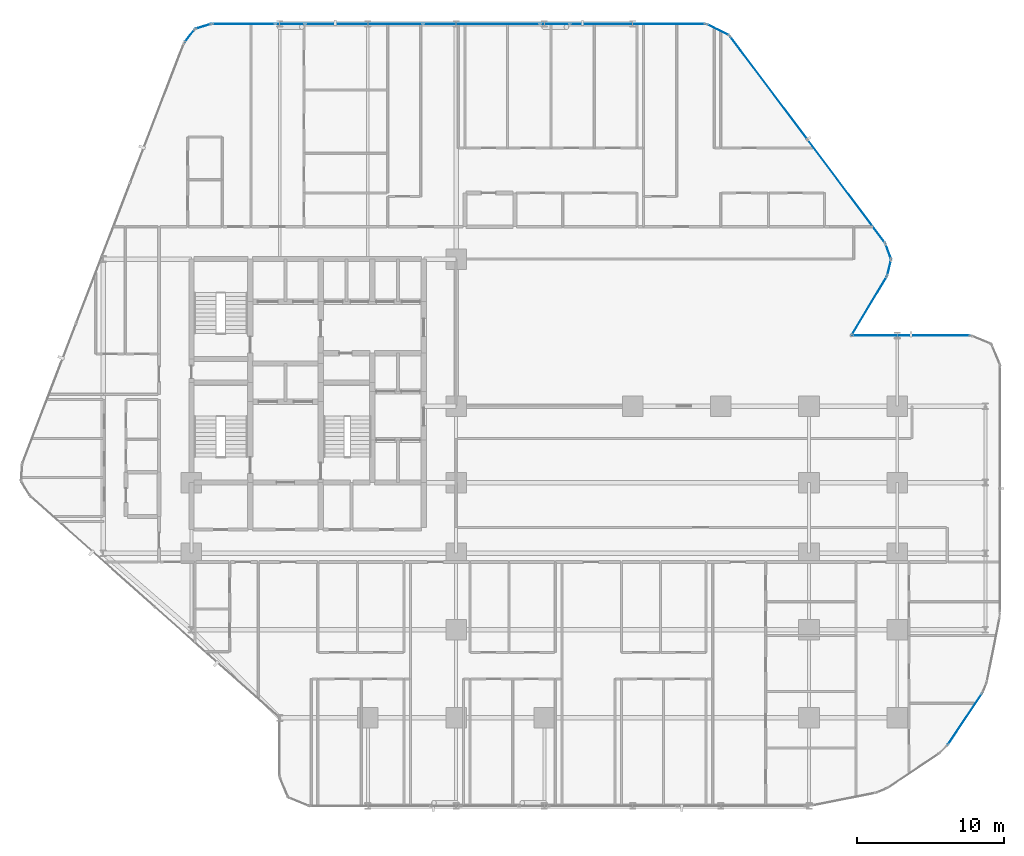
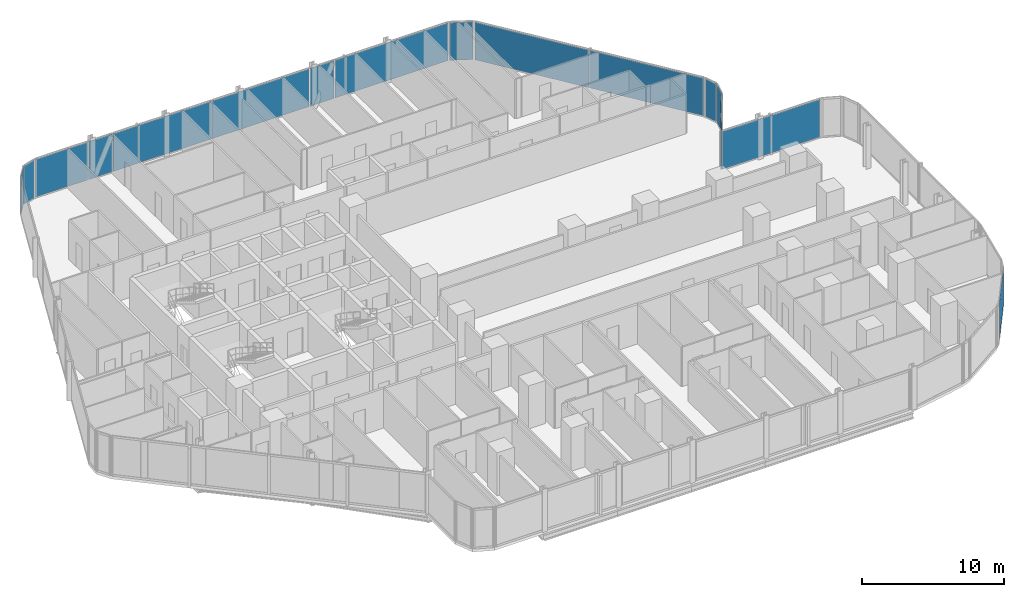
# One storey, part 24 of 34: 16 plates, 14 elements without a shape of their own.
"""IFC4 building model written with IfcOpenShell, lengths in metres."""

from ifc_helpers import new_model, si_unit, direction, frame, origin, origin_2d, place, context, subcontext, project, spatial, rectangle, extrude, material, layer, layer_set, type_object, element, aggregate, save


model = new_model("IFC4")

# Units and contexts
model_context = context("Model", 3, precision=1e-05, world=origin(), true_north=direction((0.0, 1.0)))
body_context = subcontext(model_context, "Body", "Model", "MODEL_VIEW")
ifc_project = project(units=[si_unit("LENGTHUNIT", "METRE"), si_unit("AREAUNIT", "SQUARE_METRE"), si_unit("VOLUMEUNIT", "CUBIC_METRE"), si_unit("PLANEANGLEUNIT", "RADIAN"), si_unit("MASSUNIT", "GRAM", prefix="KILO")], contexts=[model_context])

# Site, building, storey
site_placement = place(None, origin())
site = spatial("IfcSite", under=ifc_project, at=site_placement, CompositionType="ELEMENT")
building_placement = place(site_placement, origin())
building = spatial("IfcBuilding", under=site, at=building_placement, Name="Keshet Zoharim Tower", CompositionType="ELEMENT")
storey_placement = place(building_placement, frame((0.0, 0.0, 31.39990234375)))
storey = spatial("IfcBuildingStorey", under=building, at=storey_placement, Name="L06", CompositionType="ELEMENT", Elevation=31.39990234375)

# Curtain wall, plate
ifc_material_1 = material(Name="Aluminium 6063-T6", Category="aluminium")
ifc_layer_1 = layer(ifc_material_1, 0.179931640625)
ifc_layer_set_1 = layer_set([ifc_layer_1], Name="Aluminium 6063-T6")
curtain_wall_type_1 = type_object("IfcCurtainWallType", Name="CW-SYS-01", PredefinedType="NOTDEFINED", material=ifc_layer_set_1)
curtain_wall_1_placement = place(storey_placement, origin())
curtain_wall_1 = element("IfcCurtainWall", 1, at=curtain_wall_1_placement, inside=storey, type_object=curtain_wall_type_1, Name="L06 Unitised Curtain Wall 05", PredefinedType="NOTDEFINED")
ifc_material_2 = material(Name="Insulated Low-E Clear Glass", Category="glass")
ifc_layer_2 = layer(ifc_material_2, 0.035888671875)
ifc_layer_set_2 = layer_set([ifc_layer_2], Name="Insulated Low-E Clear Glass")
plate_type_1 = type_object("IfcPlateType", Name="CWP-01", PredefinedType="CURTAIN_PANEL", material=ifc_layer_set_2)
plate_1_placement = place(storey_placement, frame((14.8740234375, 53.08349609375, 0.070068359375), z_axis=(0.0, 0.0, 1.0), x_axis=(0.619124525989, 0.785292825205, 0.0)))
plate_1 = element("IfcPlate", 2, at=plate_1_placement, type_object=plate_type_1, Name="CW-01 panel 1.1", PredefinedType="CURTAIN_PANEL", context=body_context, shape_type="SweptSolid", body=[
    extrude(rectangle(XDim=1.045654296875, YDim=0.035888671875, at=origin_2d()), origin(), (0.0, 0.0, 1.0), 3.2451171875),
])
aggregate(curtain_wall_1, [plate_1])

curtain_wall_2_placement = place(storey_placement, origin())
curtain_wall_2 = element("IfcCurtainWall", 3, at=curtain_wall_2_placement, inside=storey, type_object=curtain_wall_type_1, Name="L06 Unitised Curtain Wall 06", PredefinedType="NOTDEFINED")
plate_2_placement = place(storey_placement, frame((15.8076171875, 53.724609375, 0.070068359375), z_axis=(0.0, 0.0, 1.0), x_axis=(0.955212151288, 0.295921857984, 0.0)))
plate_2 = element("IfcPlate", 4, at=plate_2_placement, type_object=plate_type_1, Name="CW-01 panel 1.1", PredefinedType="CURTAIN_PANEL", context=body_context, shape_type="SweptSolid", body=[
    extrude(rectangle(XDim=1.046142578125, YDim=0.035888671875, at=origin_2d()), origin(), (0.0, 0.0, 1.0), 3.2451171875),
])
aggregate(curtain_wall_2, [plate_2])

curtain_wall_3_placement = place(storey_placement, origin())
curtain_wall_3 = element("IfcCurtainWall", 5, at=curtain_wall_3_placement, inside=storey, type_object=curtain_wall_type_1, Name="L06 Unitised Curtain Wall 12", PredefinedType="NOTDEFINED")
plate_3_placement = place(storey_placement, frame((61.093994140625, 34.723388671875, 0.070068359375), z_axis=(0.0, 0.0, 1.0), x_axis=(-0.51446459506, -0.857511621163, 0.0)))
plate_3 = element("IfcPlate", 6, at=plate_3_placement, type_object=plate_type_1, Name="CW-01 panel 1.1", PredefinedType="CURTAIN_PANEL", context=body_context, shape_type="SweptSolid", body=[
    extrude(rectangle(XDim=4.57958984375, YDim=0.035888671875, at=origin_2d()), origin(), (0.0, 0.0, 1.0), 3.2451171875),
])
aggregate(curtain_wall_3, [plate_3])

curtain_wall_4_placement = place(storey_placement, origin())
curtain_wall_4 = element("IfcCurtainWall", 7, at=curtain_wall_4_placement, inside=storey, type_object=curtain_wall_type_1, Name="L06 Unitised Curtain Wall 20", PredefinedType="NOTDEFINED")
plate_4_placement = place(storey_placement, frame((67.60107421875, 6.615966796875, 0.070068359375), z_axis=(0.0, 0.0, 1.0), x_axis=(-0.555563243758, -0.831474282335, 0.0)))
plate_4 = element("IfcPlate", 8, at=plate_4_placement, type_object=plate_type_1, Name="CW-01 panel 1.1", PredefinedType="CURTAIN_PANEL", context=body_context, shape_type="SweptSolid", body=[
    extrude(rectangle(XDim=4.13671875, YDim=0.035888671875, at=origin_2d()), origin(), (0.0, 0.0, 1.0), 3.2451171875),
])
aggregate(curtain_wall_4, [plate_4])

ifc_layer_3 = layer(ifc_material_1, 0.169921875)
ifc_layer_set_3 = layer_set([ifc_layer_3], Name="Aluminium 6063-T6")
curtain_wall_type_2 = type_object("IfcCurtainWallType", Name="CW-SYS-02", PredefinedType="NOTDEFINED", material=ifc_layer_set_3)
curtain_wall_5_placement = place(storey_placement, origin())
curtain_wall_5 = element("IfcCurtainWall", 9, at=curtain_wall_5_placement, inside=storey, type_object=curtain_wall_type_2, Name="L06 Unitised Curtain Wall 07", PredefinedType="NOTDEFINED")
ifc_layer_4 = layer(ifc_material_2, 0.031982421875)
ifc_layer_set_4 = layer_set([ifc_layer_4], Name="Insulated Low-E Clear Glass")
plate_type_2 = type_object("IfcPlateType", Name="CWP-02", PredefinedType="CURTAIN_PANEL", material=ifc_layer_set_4)
plate_5_placement = place(storey_placement, frame((18.5556640625, 53.89990234375, 0.070068359375), z_axis=(0.0, 0.0, 1.0), x_axis=(1.0, 0.0, 0.0)))
plate_5 = element("IfcPlate", 10, at=plate_5_placement, type_object=plate_type_2, Name="CW-02 panel 1.1", PredefinedType="CURTAIN_PANEL", context=body_context, shape_type="SweptSolid", body=[
    extrude(rectangle(XDim=4.223388671875, YDim=0.031982421875, at=origin_2d()), origin(), (0.0, 0.0, 1.0), 3.2451171875),
])
aggregate(curtain_wall_5, [plate_5])

# Curtain wall, plates
curtain_wall_6_placement = place(storey_placement, origin())
curtain_wall_6 = element("IfcCurtainWall", 11, at=curtain_wall_6_placement, inside=storey, type_object=curtain_wall_type_2, Name="L06 Unitised Curtain Wall 07 Part 3", PredefinedType="NOTDEFINED")
plate_6_placement = place(storey_placement, frame((26.73876953125, 53.89990234375, 0.070068359375), z_axis=(0.0, 0.0, 1.0), x_axis=(1.0, 0.0, 0.0)))
plate_6 = element("IfcPlate", 12, at=plate_6_placement, type_object=plate_type_2, Name="CW-02 panel 1.1", PredefinedType="CURTAIN_PANEL", context=body_context, shape_type="SweptSolid", body=[
    extrude(rectangle(XDim=7.952392578125, YDim=0.031982421875, at=origin_2d()), origin(), (0.0, 0.0, 1.0), 3.2451171875),
])
plate_7_placement = place(storey_placement, frame((34.726318359375, 53.89990234375, 0.070068359375), z_axis=(0.0, 0.0, 1.0), x_axis=(1.0, 0.0, 0.0)))
plate_7 = element("IfcPlate", 13, at=plate_7_placement, type_object=plate_type_2, Name="CW-02 panel 2.1", PredefinedType="CURTAIN_PANEL", context=body_context, shape_type="SweptSolid", body=[
    extrude(rectangle(XDim=7.88232421875, YDim=0.031982421875, at=origin_2d()), origin(), (0.0, 0.0, 1.0), 3.2451171875),
])
aggregate(curtain_wall_6, [plate_6, plate_7])

# Curtain wall, plate
curtain_wall_7_placement = place(storey_placement, origin())
curtain_wall_7 = element("IfcCurtainWall", 14, at=curtain_wall_7_placement, inside=storey, type_object=curtain_wall_type_2, Name="L06 Unitised Curtain Wall 07 Part 5", PredefinedType="NOTDEFINED")
plate_8_placement = place(storey_placement, frame((45.34619140625, 53.89990234375, 0.070068359375), z_axis=(0.0, 0.0, 1.0), x_axis=(1.0, 0.0, 0.0)))
plate_8 = element("IfcPlate", 15, at=plate_8_placement, type_object=plate_type_2, Name="CW-02 panel 1.1", PredefinedType="CURTAIN_PANEL", context=body_context, shape_type="SweptSolid", body=[
    extrude(rectangle(XDim=9.16748046875, YDim=0.031982421875, at=origin_2d()), origin(), (0.0, 0.0, 1.0), 3.2451171875),
])
aggregate(curtain_wall_7, [plate_8])

curtain_wall_8_placement = place(storey_placement, origin())
curtain_wall_8 = element("IfcCurtainWall", 16, at=curtain_wall_8_placement, inside=storey, type_object=curtain_wall_type_2, Name="L06 Unitised Curtain Wall 08", PredefinedType="NOTDEFINED")
plate_9_placement = place(storey_placement, frame((50.800048828125, 53.5, 0.070068359375), z_axis=(0.0, 0.0, 1.0), x_axis=(0.894427191001, -0.447213595499, 0.0)))
plate_9 = element("IfcPlate", 17, at=plate_9_placement, type_object=plate_type_2, Name="CW-02 panel 1.1", PredefinedType="CURTAIN_PANEL", context=body_context, shape_type="SweptSolid", body=[
    extrude(rectangle(XDim=1.64892578125, YDim=0.031982421875, at=origin_2d()), origin(), (0.0, 0.0, 1.0), 3.2451171875),
])
aggregate(curtain_wall_8, [plate_9])

# Curtain wall, plates
curtain_wall_9_placement = place(storey_placement, origin())
curtain_wall_9 = element("IfcCurtainWall", 18, at=curtain_wall_9_placement, inside=storey, type_object=curtain_wall_type_2, Name="L06 Unitised Curtain Wall 09", PredefinedType="NOTDEFINED")
plate_10_placement = place(storey_placement, frame((54.2587890625, 49.554931640625, 0.070068359375), z_axis=(0.0, 0.0, 1.0), x_axis=(0.600000000002, -0.799999999998, 0.0)))
plate_10 = element("IfcPlate", 19, at=plate_10_placement, type_object=plate_type_2, Name="CW-02 panel 1.1", PredefinedType="CURTAIN_PANEL", context=body_context, shape_type="SweptSolid", body=[
    extrude(rectangle(XDim=8.722412109375, YDim=0.031982421875, at=origin_2d()), origin(), (0.0, 0.0, 1.0), 3.2451171875),
])
plate_11_placement = place(storey_placement, frame((59.5341796875, 42.52099609375, 0.070068359375), z_axis=(0.0, 0.0, 1.0), x_axis=(0.600000000002, -0.799999999998, 0.0)))
plate_11 = element("IfcPlate", 20, at=plate_11_placement, type_object=plate_type_2, Name="CW-02 panel 2.1", PredefinedType="CURTAIN_PANEL", context=body_context, shape_type="SweptSolid", body=[
    extrude(rectangle(XDim=8.722412109375, YDim=0.031982421875, at=origin_2d()), origin(), (0.0, 0.0, 1.0), 3.2451171875),
])
aggregate(curtain_wall_9, [plate_10, plate_11])

# Curtain wall, plate
curtain_wall_10_placement = place(storey_placement, origin())
curtain_wall_10 = element("IfcCurtainWall", 21, at=curtain_wall_10_placement, inside=storey, type_object=curtain_wall_type_2, Name="L06 Unitised Curtain Wall 10", PredefinedType="NOTDEFINED")
plate_12_placement = place(storey_placement, frame((62.3916015625, 38.427490234375, 0.070068359375), z_axis=(0.0, 0.0, 1.0), x_axis=(0.340297354046, -0.940317877544, 0.0)))
plate_12 = element("IfcPlate", 22, at=plate_12_placement, type_object=plate_type_2, Name="CW-02 panel 1.1", PredefinedType="CURTAIN_PANEL", context=body_context, shape_type="SweptSolid", body=[
    extrude(rectangle(XDim=1.026611328125, YDim=0.031982421875, at=origin_2d()), origin(), (0.0, 0.0, 1.0), 3.2451171875),
])
aggregate(curtain_wall_10, [plate_12])

curtain_wall_11_placement = place(storey_placement, origin())
curtain_wall_11 = element("IfcCurtainWall", 23, at=curtain_wall_11_placement, inside=storey, type_object=curtain_wall_type_2, Name="L06 Unitised Curtain Wall 11", PredefinedType="NOTDEFINED")
plate_13_placement = place(storey_placement, frame((62.448974609375, 37.31298828125, 0.070068359375), z_axis=(0.0, 0.0, 1.0), x_axis=(-0.241728770141, -0.970343857447, 0.0)))
plate_13 = element("IfcPlate", 24, at=plate_13_placement, type_object=plate_type_2, Name="CW-02 panel 1.1", PredefinedType="CURTAIN_PANEL", context=body_context, shape_type="SweptSolid", body=[
    extrude(rectangle(XDim=1.026611328125, YDim=0.031982421875, at=origin_2d()), origin(), (0.0, 0.0, 1.0), 3.2451171875),
])
aggregate(curtain_wall_11, [plate_13])

curtain_wall_12_placement = place(storey_placement, origin())
curtain_wall_12 = element("IfcCurtainWall", 25, at=curtain_wall_12_placement, inside=storey, type_object=curtain_wall_type_2, Name="L06 Unitised Curtain Wall 13", PredefinedType="NOTDEFINED")
plate_14_placement = place(storey_placement, frame((63.93994140625, 32.699951171875, 0.070068359375), z_axis=(0.0, 0.0, 1.0), x_axis=(1.0, 0.0, 0.0)))
plate_14 = element("IfcPlate", 26, at=plate_14_placement, type_object=plate_type_2, Name="CW-02 panel 1.1", PredefinedType="CURTAIN_PANEL", context=body_context, shape_type="SweptSolid", body=[
    extrude(rectangle(XDim=7.97998046875, YDim=0.031982421875, at=origin_2d()), origin(), (0.0, 0.0, 1.0), 3.2451171875),
])
aggregate(curtain_wall_12, [plate_14])

curtain_wall_13_placement = place(storey_placement, origin())
curtain_wall_13 = element("IfcCurtainWall", 27, at=curtain_wall_13_placement, inside=storey, type_object=curtain_wall_type_2, Name="L06 Unitised Curtain Wall 07 Part 2", PredefinedType="NOTDEFINED")
ifc_material_3 = material(Name="Insulated Aluminium Spandrel Panel", Category="aluminium")
ifc_layer_5 = layer(ifc_material_3, 0.031982421875)
ifc_layer_set_5 = layer_set([ifc_layer_5], Name="Insulated Aluminium Spandrel Panel")
plate_type_3 = type_object("IfcPlateType", Name="CWP-05", PredefinedType="CURTAIN_PANEL", material=ifc_layer_set_5)
plate_15_placement = place(storey_placement, frame((21.715087890625, 53.89990234375, 0.070068359375), z_axis=(0.0, 0.0, 1.0), x_axis=(1.0, 0.0, 0.0)))
plate_15 = element("IfcPlate", 28, at=plate_15_placement, type_object=plate_type_3, Name="CW-02 spandrel panel 1.1", PredefinedType="CURTAIN_PANEL", context=body_context, shape_type="SweptSolid", body=[
    extrude(rectangle(XDim=1.955078125, YDim=0.031982421875, at=origin_2d()), origin(), (0.0, 0.0, 1.0), 3.2451171875),
])
aggregate(curtain_wall_13, [plate_15])

curtain_wall_14_placement = place(storey_placement, origin())
curtain_wall_14 = element("IfcCurtainWall", 29, at=curtain_wall_14_placement, inside=storey, type_object=curtain_wall_type_2, Name="L06 Unitised Curtain Wall 07 Part 4", PredefinedType="NOTDEFINED")
plate_16_placement = place(storey_placement, frame((39.715087890625, 53.89990234375, 0.070068359375), z_axis=(0.0, 0.0, 1.0), x_axis=(1.0, 0.0, 0.0)))
plate_16 = element("IfcPlate", 30, at=plate_16_placement, type_object=plate_type_3, Name="CW-02 spandrel panel 1.1", PredefinedType="CURTAIN_PANEL", context=body_context, shape_type="SweptSolid", body=[
    extrude(rectangle(XDim=1.955078125, YDim=0.031982421875, at=origin_2d()), origin(), (0.0, 0.0, 1.0), 3.2451171875),
])
aggregate(curtain_wall_14, [plate_16])

save(model, "model.ifc")
